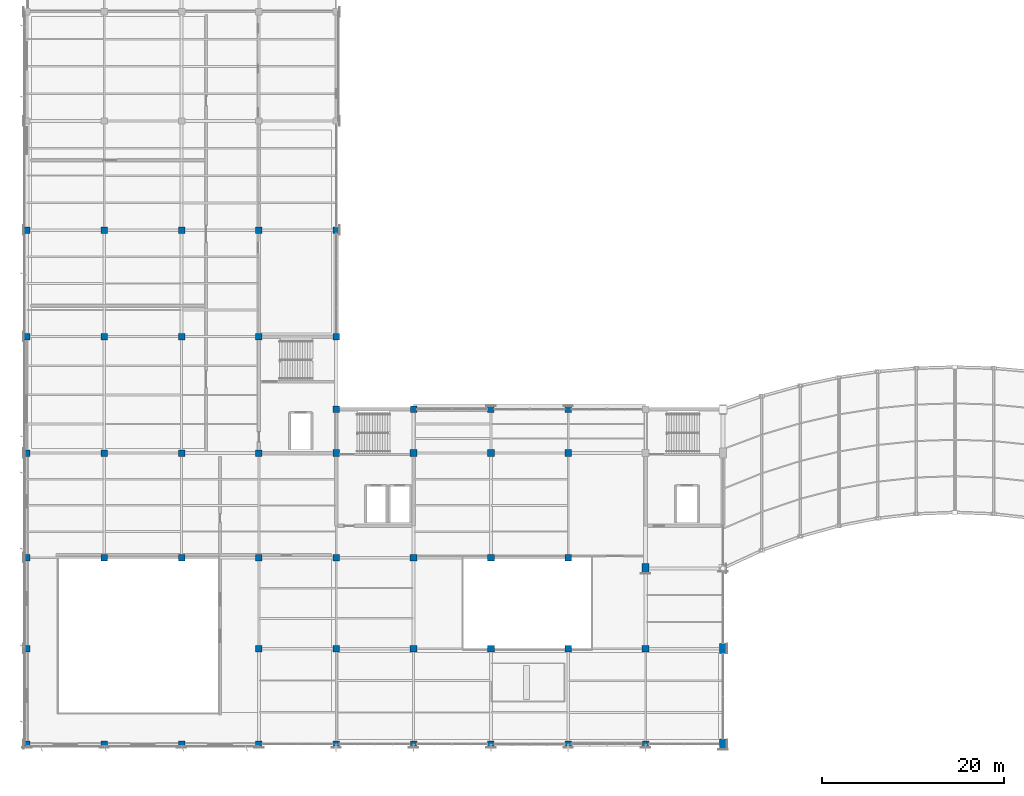
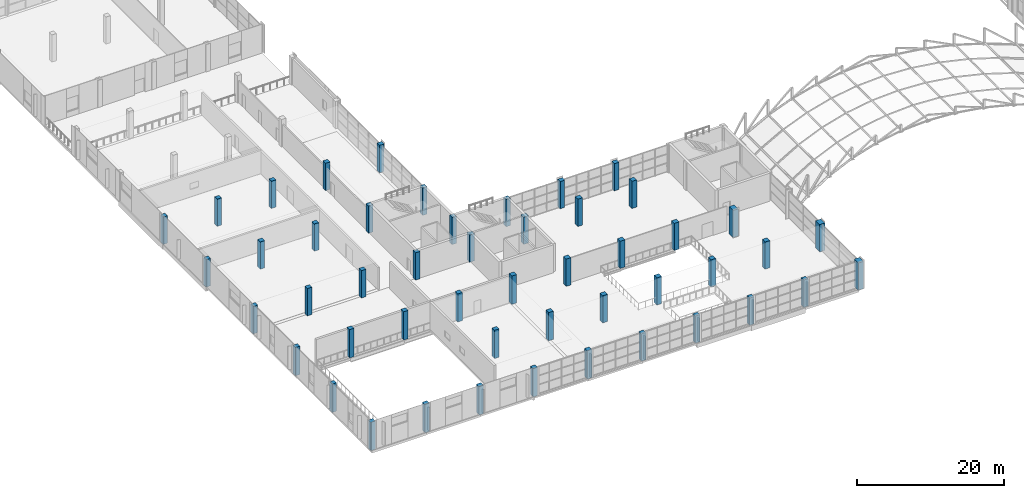
# One storey, part 1 of 101: 49 columns.
"""IFC4 building model written with IfcOpenShell, lengths in metres."""

from ifc_helpers import new_model, si_unit, direction, frame, origin, origin_2d, place, context, subcontext, project, spatial, rectangle, extrude, material, material_profile, profile_set, type_object, element, save


model = new_model("IFC4")

# Units and contexts
model_context = context("Model", 3, precision=1e-05, world=origin(), true_north=direction((0.0, 1.0)))
body_context = subcontext(model_context, "Body", "Model", "MODEL_VIEW")
ifc_project = project(units=[si_unit("LENGTHUNIT", "METRE"), si_unit("AREAUNIT", "SQUARE_METRE"), si_unit("VOLUMEUNIT", "CUBIC_METRE"), si_unit("PLANEANGLEUNIT", "RADIAN"), si_unit("MASSUNIT", "GRAM", prefix="KILO")], contexts=[model_context])

# Site, building, storey
site_placement = place(None, origin())
site = spatial("IfcSite", under=ifc_project, at=site_placement, CompositionType="ELEMENT")
building_placement = place(site_placement, origin())
building = spatial("IfcBuilding", under=site, at=building_placement, Name="Solvikara Media Centre", CompositionType="ELEMENT")
storey_placement = place(building_placement, frame((0.0, 0.0, 10.199951171875)))
storey = spatial("IfcBuildingStorey", under=building, at=storey_placement, Name="L02", CompositionType="ELEMENT", Elevation=10.199951171875)

# Columns
ifc_material = material(Name="Concrete fc' 45 MPa (C45/55)", Category="concrete")
ifc_material_profile_1 = material_profile(ifc_material, rectangle(XDim=0.699951171875, YDim=0.699951171875, at=origin_2d()), Name="RC 700x700")
ifc_profile_set_1 = profile_set([ifc_material_profile_1], Name="Concrete fc' 45 MPa (C45/55)")
column_type_1 = type_object("IfcColumnType", Name="CL-03", PredefinedType="COLUMN", material=ifc_profile_set_1)
column_1_placement = place(storey_placement, frame((8.5, 20.5, 0.0), z_axis=(0.0, 0.0, 1.0), x_axis=(1.0, 0.0, 0.0)))
element("IfcColumn", 1, at=column_1_placement, inside=storey, type_object=column_type_1, Name="C-L02-0085-0205", PredefinedType="COLUMN", context=body_context, shape_type="SweptSolid", body=[
    extrude(rectangle(XDim=0.699951171875, YDim=0.699951171875, at=origin_2d()), origin(), (0.0, 0.0, 1.0), 4.699951171875),
])
for number, where, z_axis, x_axis, name in (
    (2, (8.5, 32.0, 0.0), (0.0, 0.0, 1.0), (1.0, 0.0, 0.0), "C-L02-0085-0320"),
    (3, (8.5, 44.800048828125, 0.0), (0.0, 0.0, 1.0), (1.0, 0.0, 0.0), "C-L02-0085-0448"),
    (4, (8.5, 56.5, 0.0), (0.0, 0.0, 1.0), (1.0, 0.0, 0.0), "C-L02-0085-0565"),
):
    element("IfcColumn", number, at=place(storey_placement, frame(where, z_axis=z_axis, x_axis=x_axis)), inside=storey, type_object=column_type_1, Name=name, PredefinedType="COLUMN", context=body_context, shape_type="SweptSolid", body=[
        extrude(rectangle(XDim=0.699951171875, YDim=0.699951171875, at=origin_2d()), origin(), (0.0, 0.0, 1.0), 4.5400390625),
    ])
column_2_placement = place(storey_placement, frame((17.0, 20.5, 0.0), z_axis=(0.0, 0.0, 1.0), x_axis=(1.0, 0.0, 0.0)))
element("IfcColumn", 5, at=column_2_placement, inside=storey, type_object=column_type_1, Name="C-L02-0170-0205", PredefinedType="COLUMN", context=body_context, shape_type="SweptSolid", body=[
    extrude(rectangle(XDim=0.699951171875, YDim=0.699951171875, at=origin_2d()), origin(), (0.0, 0.0, 1.0), 4.699951171875),
])
for number, where, z_axis, x_axis, name in (
    (6, (17.0, 32.0, 0.0), (0.0, 0.0, 1.0), (1.0, 0.0, 0.0), "C-L02-0170-0320"),
    (7, (17.0, 44.800048828125, 0.0), (0.0, 0.0, 1.0), (1.0, 0.0, 0.0), "C-L02-0170-0448"),
    (8, (17.0, 56.5, 0.0), (0.0, 0.0, 1.0), (1.0, 0.0, 0.0), "C-L02-0170-0565"),
):
    element("IfcColumn", number, at=place(storey_placement, frame(where, z_axis=z_axis, x_axis=x_axis)), inside=storey, type_object=column_type_1, Name=name, PredefinedType="COLUMN", context=body_context, shape_type="SweptSolid", body=[
        extrude(rectangle(XDim=0.699951171875, YDim=0.699951171875, at=origin_2d()), origin(), (0.0, 0.0, 1.0), 4.5400390625),
    ])
for number, where, z_axis, x_axis, name in (
    (9, (25.5, 10.5, 0.0), (0.0, 0.0, 1.0), (1.0, 0.0, 0.0), "C-L02-0255-0105"),
    (10, (25.5, 20.5, 0.0), (0.0, 0.0, 1.0), (1.0, 0.0, 0.0), "C-L02-0255-0205"),
):
    element("IfcColumn", number, at=place(storey_placement, frame(where, z_axis=z_axis, x_axis=x_axis)), inside=storey, type_object=column_type_1, Name=name, PredefinedType="COLUMN", context=body_context, shape_type="SweptSolid", body=[
        extrude(rectangle(XDim=0.699951171875, YDim=0.699951171875, at=origin_2d()), origin(), (0.0, 0.0, 1.0), 4.699951171875),
    ])
for number, where, z_axis, x_axis, name in (
    (11, (25.5, 32.0, 0.0), (0.0, 0.0, 1.0), (1.0, 0.0, 0.0), "C-L02-0255-0320"),
    (12, (25.5, 44.800048828125, 0.0), (0.0, 0.0, 1.0), (1.0, 0.0, 0.0), "C-L02-0255-0448"),
    (13, (25.5, 56.5, 0.0), (0.0, 0.0, 1.0), (1.0, 0.0, 0.0), "C-L02-0255-0565"),
):
    element("IfcColumn", number, at=place(storey_placement, frame(where, z_axis=z_axis, x_axis=x_axis)), inside=storey, type_object=column_type_1, Name=name, PredefinedType="COLUMN", context=body_context, shape_type="SweptSolid", body=[
        extrude(rectangle(XDim=0.699951171875, YDim=0.699951171875, at=origin_2d()), origin(), (0.0, 0.0, 1.0), 4.5400390625),
    ])
ifc_material_profile_2 = material_profile(ifc_material, rectangle(XDim=0.75, YDim=0.75, at=origin_2d()), Name="RC 750x750")
ifc_profile_set_2 = profile_set([ifc_material_profile_2], Name="Concrete fc' 45 MPa (C45/55)")
column_type_2 = type_object("IfcColumnType", Name="CL-04", PredefinedType="COLUMN", material=ifc_profile_set_2)
for number, where, z_axis, x_axis, name in (
    (14, (34.0, 10.5, 0.0), (0.0, 0.0, 1.0), (1.0, 0.0, 0.0), "C-L02-0340-0105"),
    (15, (34.0, 20.5, 0.0), (0.0, 0.0, 1.0), (1.0, 0.0, 0.0), "C-L02-0340-0205"),
):
    element("IfcColumn", number, at=place(storey_placement, frame(where, z_axis=z_axis, x_axis=x_axis)), inside=storey, type_object=column_type_2, Name=name, PredefinedType="COLUMN", context=body_context, shape_type="SweptSolid", body=[
        extrude(rectangle(XDim=0.75, YDim=0.75, at=origin_2d()), origin(), (0.0, 0.0, 1.0), 4.699951171875),
    ])
for number, where, z_axis, x_axis, name in (
    (16, (34.0, 32.0, 0.0), (0.0, 0.0, 1.0), (1.0, 0.0, 0.0), "C-L02-0340-0320"),
    (17, (42.5, 10.5, 0.0), (0.0, 0.0, 1.0), (1.0, 0.0, 0.0), "C-L02-0425-0105"),
    (18, (42.5, 20.5, 0.0), (0.0, 0.0, 1.0), (1.0, 0.0, 0.0), "C-L02-0425-0205"),
    (19, (42.5, 32.0, 0.0), (0.0, 0.0, 1.0), (1.0, 0.0, 0.0), "C-L02-0425-0320"),
    (20, (51.0, 10.5, 0.0), (0.0, 0.0, 1.0), (1.0, 0.0, 0.0), "C-L02-0510-0105"),
    (21, (51.0, 20.5, 0.0), (0.0, 0.0, 1.0), (1.0, 0.0, 0.0), "C-L02-0510-0205"),
    (22, (51.0, 32.0, 0.0), (0.0, 0.0, 1.0), (1.0, 0.0, 0.0), "C-L02-0510-0320"),
    (23, (59.5, 10.5, 0.0), (0.0, 0.0, 1.0), (1.0, 0.0, 0.0), "C-L02-0595-0105"),
    (24, (59.5, 20.5, 0.0), (0.0, 0.0, 1.0), (1.0, 0.0, 0.0), "C-L02-0595-0205"),
    (25, (59.5, 32.0, 0.0), (0.0, 0.0, 1.0), (1.0, 0.0, 0.0), "C-L02-0595-0320"),
    (26, (68.0, 10.5, 0.0), (0.0, 0.0, 1.0), (1.0, 0.0, 0.0), "C-L02-0680-0105"),
):
    element("IfcColumn", number, at=place(storey_placement, frame(where, z_axis=z_axis, x_axis=x_axis)), inside=storey, type_object=column_type_2, Name=name, PredefinedType="COLUMN", context=body_context, shape_type="SweptSolid", body=[
        extrude(rectangle(XDim=0.75, YDim=0.75, at=origin_2d()), origin(), (0.0, 0.0, 1.0), 4.52001953125),
    ])
ifc_material_profile_3 = material_profile(ifc_material, rectangle(XDim=0.699951171875, YDim=0.699951171875, at=origin_2d()), Name="RC 700x700")
ifc_profile_set_3 = profile_set([ifc_material_profile_3], Name="Concrete fc' 45 MPa (C45/55)")
column_type_3 = type_object("IfcColumnType", Name="CL-15", PredefinedType="COLUMN", material=ifc_profile_set_3)
for number, where, z_axis, x_axis, name in (
    (27, (0.0, 0.0, 0.0), (0.0, 0.0, 1.0), (1.0, 0.0, 0.0), "C-L02-0000-0000"),
    (28, (0.0, 10.5, 0.0), (0.0, 0.0, 1.0), (1.0, 0.0, 0.0), "C-L02-0000-0105"),
    (29, (0.0, 20.5, 0.0), (0.0, 0.0, 1.0), (1.0, 0.0, 0.0), "C-L02-0000-0205"),
):
    element("IfcColumn", number, at=place(storey_placement, frame(where, z_axis=z_axis, x_axis=x_axis)), inside=storey, type_object=column_type_3, Name=name, PredefinedType="COLUMN", context=body_context, shape_type="SweptSolid", body=[
        extrude(rectangle(XDim=0.699951171875, YDim=0.699951171875, at=origin_2d()), origin(), (0.0, 0.0, 1.0), 4.699951171875),
    ])
for number, where, z_axis, x_axis, name in (
    (30, (0.0, 32.0, 0.0), (0.0, 0.0, 1.0), (1.0, 0.0, 0.0), "C-L02-0000-0320"),
    (31, (0.0, 44.800048828125, 0.0), (0.0, 0.0, 1.0), (1.0, 0.0, 0.0), "C-L02-0000-0448"),
    (32, (0.0, 56.5, 0.0), (0.0, 0.0, 1.0), (1.0, 0.0, 0.0), "C-L02-0000-0565"),
):
    element("IfcColumn", number, at=place(storey_placement, frame(where, z_axis=z_axis, x_axis=x_axis)), inside=storey, type_object=column_type_3, Name=name, PredefinedType="COLUMN", context=body_context, shape_type="SweptSolid", body=[
        extrude(rectangle(XDim=0.699951171875, YDim=0.699951171875, at=origin_2d()), origin(), (0.0, 0.0, 1.0), 4.5400390625),
    ])
for number, where, z_axis, x_axis, name in (
    (33, (8.5, 0.0, 0.0), (0.0, 0.0, 1.0), (1.0, 0.0, 0.0), "C-L02-0085-0000"),
    (34, (17.0, 0.0, 0.0), (0.0, 0.0, 1.0), (1.0, 0.0, 0.0), "C-L02-0170-0000"),
    (35, (25.5, 0.0, 0.0), (0.0, 0.0, 1.0), (1.0, 0.0, 0.0), "C-L02-0255-0000"),
):
    element("IfcColumn", number, at=place(storey_placement, frame(where, z_axis=z_axis, x_axis=x_axis)), inside=storey, type_object=column_type_3, Name=name, PredefinedType="COLUMN", context=body_context, shape_type="SweptSolid", body=[
        extrude(rectangle(XDim=0.699951171875, YDim=0.699951171875, at=origin_2d()), origin(), (0.0, 0.0, 1.0), 4.699951171875),
    ])
for number, where, z_axis, x_axis, name in (
    (36, (34.0, 44.800048828125, 0.0), (0.0, 0.0, 1.0), (1.0, 0.0, 0.0), "C-L02-0340-0448"),
    (37, (34.0, 56.5, 0.0), (0.0, 0.0, 1.0), (1.0, 0.0, 0.0), "C-L02-0340-0565"),
):
    element("IfcColumn", number, at=place(storey_placement, frame(where, z_axis=z_axis, x_axis=x_axis)), inside=storey, type_object=column_type_3, Name=name, PredefinedType="COLUMN", context=body_context, shape_type="SweptSolid", body=[
        extrude(rectangle(XDim=0.699951171875, YDim=0.699951171875, at=origin_2d()), origin(), (0.0, 0.0, 1.0), 4.5400390625),
    ])
column_3_placement = place(storey_placement, frame((34.0, 0.0, 0.0), z_axis=(0.0, 0.0, 1.0), x_axis=(1.0, 0.0, 0.0)))
element("IfcColumn", 38, at=column_3_placement, inside=storey, type_object=column_type_3, Name="C-L02-0340-0000", PredefinedType="COLUMN", context=body_context, shape_type="SweptSolid", body=[
    extrude(rectangle(XDim=0.699951171875, YDim=0.699951171875, at=origin_2d()), origin(), (0.0, 0.0, 1.0), 4.699951171875),
])
for number, where, z_axis, x_axis, name in (
    (39, (34.0, 36.800048828125, 0.0), (0.0, 0.0, 1.0), (1.0, 0.0, 0.0), "C-L02-0340-0368"),
    (40, (42.5, 0.0, 0.0), (0.0, 0.0, 1.0), (1.0, 0.0, 0.0), "C-L02-0425-0000"),
    (41, (42.5, 36.800048828125, 0.0), (0.0, 0.0, 1.0), (1.0, 0.0, 0.0), "C-L02-0425-0368"),
    (42, (51.0, 0.0, 0.0), (0.0, 0.0, 1.0), (1.0, 0.0, 0.0), "C-L02-0510-0000"),
    (43, (51.0, 36.800048828125, 0.0), (0.0, 0.0, 1.0), (1.0, 0.0, 0.0), "C-L02-0510-0368"),
    (44, (59.5, 0.0, 0.0), (0.0, 0.0, 1.0), (1.0, 0.0, 0.0), "C-L02-0595-0000"),
    (45, (59.5, 36.800048828125, 0.0), (0.0, 0.0, 1.0), (1.0, 0.0, 0.0), "C-L02-0595-0368"),
    (46, (68.0, 0.0, 0.0), (0.0, 0.0, 1.0), (1.0, 0.0, 0.0), "C-L02-0680-0000"),
):
    element("IfcColumn", number, at=place(storey_placement, frame(where, z_axis=z_axis, x_axis=x_axis)), inside=storey, type_object=column_type_3, Name=name, PredefinedType="COLUMN", context=body_context, shape_type="SweptSolid", body=[
        extrude(rectangle(XDim=0.699951171875, YDim=0.699951171875, at=origin_2d()), origin(), (0.0, 0.0, 1.0), 4.52001953125),
    ])
ifc_material_profile_4 = material_profile(ifc_material, rectangle(XDim=0.800048828125, YDim=1.10009765625, at=origin_2d()), Name="RC 800x1100")
ifc_profile_set_4 = profile_set([ifc_material_profile_4], Name="Concrete fc' 45 MPa (C45/55)")
column_type_4 = type_object("IfcColumnType", Name="CL-17", PredefinedType="COLUMN", material=ifc_profile_set_4)
for number, where, z_axis, x_axis, name in (
    (47, (76.5, 0.0, 0.0), (0.0, 0.0, 1.0), (1.0, 0.0, 0.0), "C-L02-0765-0000"),
    (48, (76.5, 10.5, 0.0), (0.0, 0.0, 1.0), (1.0, 0.0, 0.0), "C-L02-0765-0105"),
):
    element("IfcColumn", number, at=place(storey_placement, frame(where, z_axis=z_axis, x_axis=x_axis)), inside=storey, type_object=column_type_4, Name=name, PredefinedType="COLUMN", context=body_context, shape_type="SweptSolid", body=[
        extrude(rectangle(XDim=0.800048828125, YDim=1.10009765625, at=origin_2d()), origin(), (0.0, 0.0, 1.0), 4.530029296875),
    ])
column_4_placement = place(storey_placement, frame((68.0, 19.323974609375, 0.0), z_axis=(0.0, 0.0, 1.0), x_axis=(1.0, 0.0, 0.0)))
element("IfcColumn", 49, at=column_4_placement, inside=storey, type_object=column_type_4, Name="C-L02-0680-0193", PredefinedType="COLUMN", context=body_context, shape_type="SweptSolid", body=[
    extrude(rectangle(XDim=0.800048828125, YDim=1.10009765625, at=origin_2d()), origin(), (0.0, 0.0, 1.0), 4.52001953125),
])

save(model, "model.ifc")
